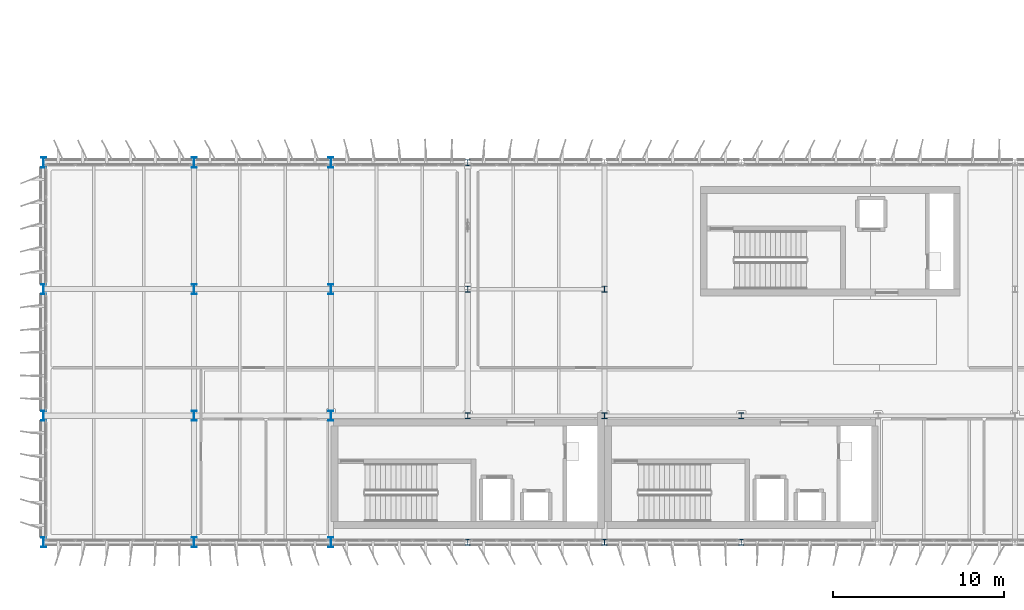
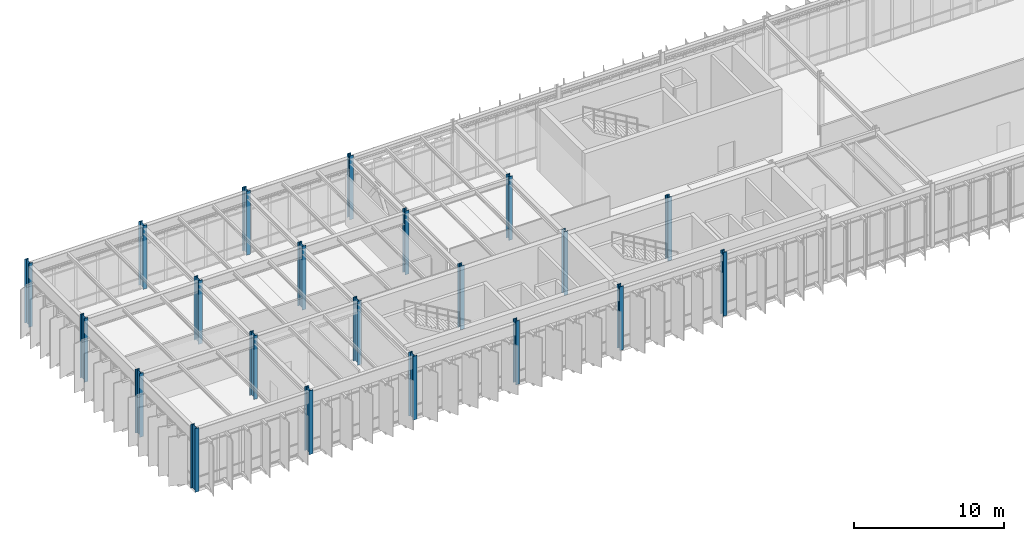
# One storey, part 1 of 48: 21 columns.
"""IFC4 building model written with IfcOpenShell, lengths in metres."""

from ifc_helpers import new_model, si_unit, direction, frame, origin, origin_2d, place, context, subcontext, project, spatial, i_section, extrude, material, material_profile, profile_set, type_object, element, save


model = new_model("IFC4")

# Units and contexts
model_context = context("Model", 3, precision=1e-05, world=origin(), true_north=direction((0.0, 1.0)))
body_context = subcontext(model_context, "Body", "Model", "MODEL_VIEW")
ifc_project = project(units=[si_unit("LENGTHUNIT", "METRE"), si_unit("AREAUNIT", "SQUARE_METRE"), si_unit("VOLUMEUNIT", "CUBIC_METRE"), si_unit("PLANEANGLEUNIT", "RADIAN"), si_unit("MASSUNIT", "GRAM", prefix="KILO")], contexts=[model_context])

# Site, building, storey
site_placement = place(None, origin())
site = spatial("IfcSite", under=ifc_project, at=site_placement, CompositionType="ELEMENT")
building_placement = place(site_placement, origin())
building = spatial("IfcBuilding", under=site, at=building_placement, Name="Valkorina Park Police Headquarters", CompositionType="ELEMENT")
storey_placement = place(building_placement, frame((0.0, 0.0, 18.10009765625)))
storey = spatial("IfcBuildingStorey", under=building, at=storey_placement, Name="L05", CompositionType="ELEMENT", Elevation=18.10009765625)

# Columns
ifc_material = material(Name="Steel S355", Category="steel")
ifc_material_profile_1 = material_profile(ifc_material, i_section(OverallWidth=0.300048828125, OverallDepth=0.360107421875, WebThickness=0.012451171875, FlangeThickness=0.0224609375, FilletRadius=0.027099609375, at=origin_2d()), Name="HEB 360")
ifc_profile_set_1 = profile_set([ifc_material_profile_1], Name="Steel S355")
column_type_1 = type_object("IfcColumnType", Name="COL-S355-HEB360-EXT", PredefinedType="COLUMN", material=ifc_profile_set_1)
for number, where, z_axis, x_axis, name in (
    (1, (24.800048828125, 37.0, 0.0), (0.0, 0.0, 1.0), (1.0, 0.0, 0.0), "L05 Column 0968"),
    (2, (24.800048828125, 59.199951171875, 0.0), (0.0, 0.0, 1.0), (1.0, 0.0, 0.0), "L05 Column 0971"),
    (3, (32.800048828125, 37.0, 0.0), (0.0, 0.0, 1.0), (1.0, 0.0, 0.0), "L05 Column 0972"),
    (4, (40.800048828125, 37.0, 0.0), (0.0, 0.0, 1.0), (1.0, 0.0, 0.0), "L05 Column 0976"),
):
    element("IfcColumn", number, at=place(storey_placement, frame(where, z_axis=z_axis, x_axis=x_axis)), inside=storey, type_object=column_type_1, Name=name, PredefinedType="COLUMN", context=body_context, shape_type="SweptSolid", body=[
        extrude(i_section(OverallWidth=0.300048828125, OverallDepth=0.360107421875, WebThickness=0.012451171875, FlangeThickness=0.0224609375, FilletRadius=0.027099609375, at=origin_2d()), origin(), (0.0, 0.0, 1.0), 5.199951171875),
    ])
ifc_material_profile_2 = material_profile(ifc_material, i_section(OverallWidth=0.300048828125, OverallDepth=0.360107421875, WebThickness=0.012451171875, FlangeThickness=0.0224609375, FilletRadius=0.027099609375, at=origin_2d()), Name="HEB 360")
ifc_profile_set_2 = profile_set([ifc_material_profile_2], Name="Steel S355")
column_type_2 = type_object("IfcColumnType", Name="COL-S355-HEB360-INT", PredefinedType="COLUMN", material=ifc_profile_set_2)
for number, where, z_axis, x_axis, name in (
    (5, (24.800048828125, 44.39990234375, 0.0), (0.0, 0.0, 1.0), (1.0, 0.0, 0.0), "L05 Column 0969"),
    (6, (24.800048828125, 51.800048828125, 0.0), (0.0, 0.0, 1.0), (1.0, 0.0, 0.0), "L05 Column 0970"),
    (7, (32.800048828125, 44.39990234375, 0.0), (0.0, 0.0, 1.0), (1.0, 0.0, 0.0), "L05 Column 0973"),
    (8, (32.800048828125, 51.800048828125, 0.0), (0.0, 0.0, 1.0), (1.0, 0.0, 0.0), "L05 Column 0974"),
    (9, (40.800048828125, 44.39990234375, 0.0), (0.0, 0.0, 1.0), (1.0, 0.0, 0.0), "L05 Column 0977"),
):
    element("IfcColumn", number, at=place(storey_placement, frame(where, z_axis=z_axis, x_axis=x_axis)), inside=storey, type_object=column_type_2, Name=name, PredefinedType="COLUMN", context=body_context, shape_type="SweptSolid", body=[
        extrude(i_section(OverallWidth=0.300048828125, OverallDepth=0.360107421875, WebThickness=0.012451171875, FlangeThickness=0.0224609375, FilletRadius=0.027099609375, at=origin_2d()), origin(), (0.0, 0.0, 1.0), 5.199951171875),
    ])
ifc_material_profile_3 = material_profile(ifc_material, i_section(OverallWidth=0.300048828125, OverallDepth=0.60009765625, WebThickness=0.015380859375, FlangeThickness=0.030029296875, FilletRadius=0.027099609375, at=origin_2d()), Name="HEB 600")
ifc_profile_set_3 = profile_set([ifc_material_profile_3], Name="Steel S355")
column_type_3 = type_object("IfcColumnType", Name="COL-S355-HEB600-EXT", PredefinedType="COLUMN", material=ifc_profile_set_3)
for number, where, z_axis, x_axis, name in (
    (10, (0.0, 37.0, 0.0), (0.0, 0.0, 1.0), (1.0, 0.0, 0.0), "L05 Column 0956"),
    (11, (0.0, 44.39990234375, 0.0), (0.0, 0.0, 1.0), (1.0, 0.0, 0.0), "L05 Column 0957"),
    (12, (0.0, 51.800048828125, 0.0), (0.0, 0.0, 1.0), (1.0, 0.0, 0.0), "L05 Column 0958"),
    (13, (0.0, 59.199951171875, 0.0), (0.0, 0.0, 1.0), (1.0, 0.0, 0.0), "L05 Column 0959"),
    (14, (8.800048828125, 37.0, 0.0), (0.0, 0.0, 1.0), (1.0, 0.0, 0.0), "L05 Column 0960"),
    (15, (8.800048828125, 59.199951171875, 0.0), (0.0, 0.0, 1.0), (1.0, 0.0, 0.0), "L05 Column 0963"),
    (16, (16.800048828125, 37.0, 0.0), (0.0, 0.0, 1.0), (1.0, 0.0, 0.0), "L05 Column 0964"),
    (17, (16.800048828125, 59.199951171875, 0.0), (0.0, 0.0, 1.0), (1.0, 0.0, 0.0), "L05 Column 0967"),
):
    element("IfcColumn", number, at=place(storey_placement, frame(where, z_axis=z_axis, x_axis=x_axis)), inside=storey, type_object=column_type_3, Name=name, PredefinedType="COLUMN", context=body_context, shape_type="SweptSolid", body=[
        extrude(i_section(OverallWidth=0.300048828125, OverallDepth=0.60009765625, WebThickness=0.015380859375, FlangeThickness=0.030029296875, FilletRadius=0.027099609375, at=origin_2d()), origin(), (0.0, 0.0, 1.0), 5.199951171875),
    ])
ifc_material_profile_4 = material_profile(ifc_material, i_section(OverallWidth=0.300048828125, OverallDepth=0.60009765625, WebThickness=0.015380859375, FlangeThickness=0.030029296875, FilletRadius=0.027099609375, at=origin_2d()), Name="HEB 600")
ifc_profile_set_4 = profile_set([ifc_material_profile_4], Name="Steel S355")
column_type_4 = type_object("IfcColumnType", Name="COL-S355-HEB600-INT", PredefinedType="COLUMN", material=ifc_profile_set_4)
for number, where, z_axis, x_axis, name in (
    (18, (8.800048828125, 44.39990234375, 0.0), (0.0, 0.0, 1.0), (1.0, 0.0, 0.0), "L05 Column 0961"),
    (19, (8.800048828125, 51.800048828125, 0.0), (0.0, 0.0, 1.0), (1.0, 0.0, 0.0), "L05 Column 0962"),
    (20, (16.800048828125, 44.39990234375, 0.0), (0.0, 0.0, 1.0), (1.0, 0.0, 0.0), "L05 Column 0965"),
    (21, (16.800048828125, 51.800048828125, 0.0), (0.0, 0.0, 1.0), (1.0, 0.0, 0.0), "L05 Column 0966"),
):
    element("IfcColumn", number, at=place(storey_placement, frame(where, z_axis=z_axis, x_axis=x_axis)), inside=storey, type_object=column_type_4, Name=name, PredefinedType="COLUMN", context=body_context, shape_type="SweptSolid", body=[
        extrude(i_section(OverallWidth=0.300048828125, OverallDepth=0.60009765625, WebThickness=0.015380859375, FlangeThickness=0.030029296875, FilletRadius=0.027099609375, at=origin_2d()), origin(), (0.0, 0.0, 1.0), 5.199951171875),
    ])

save(model, "model.ifc")
